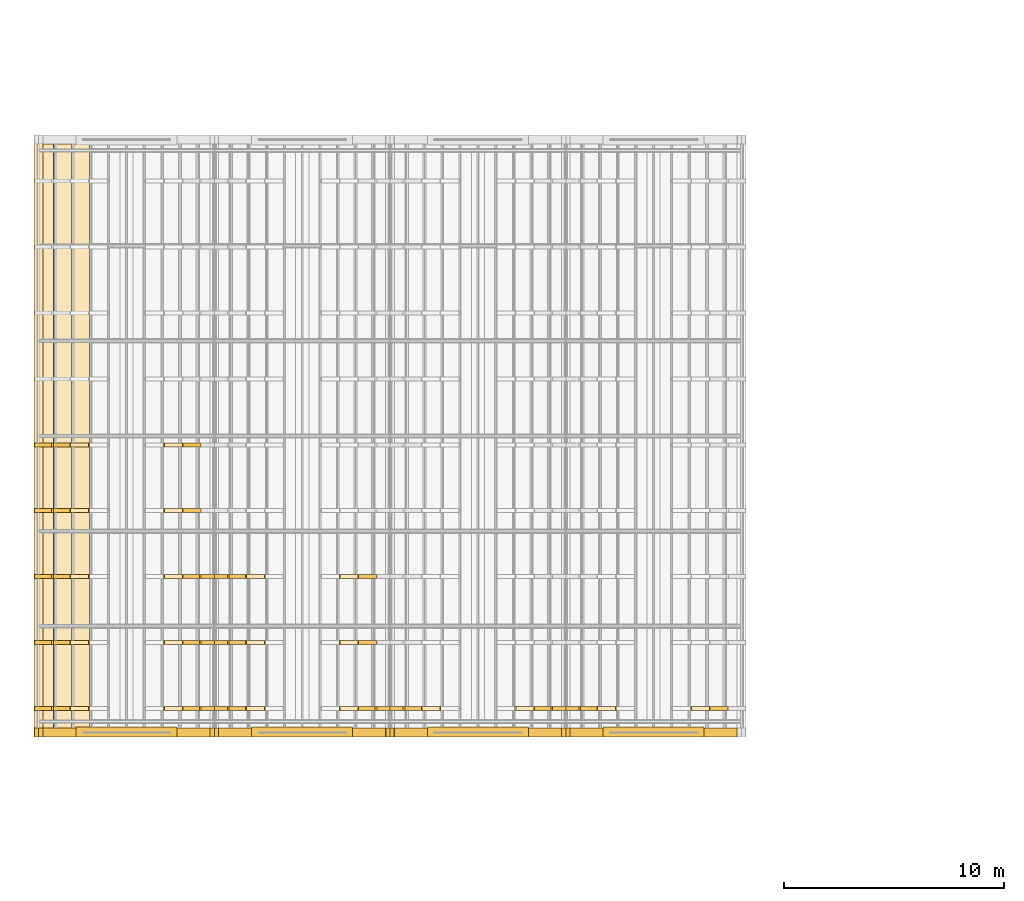
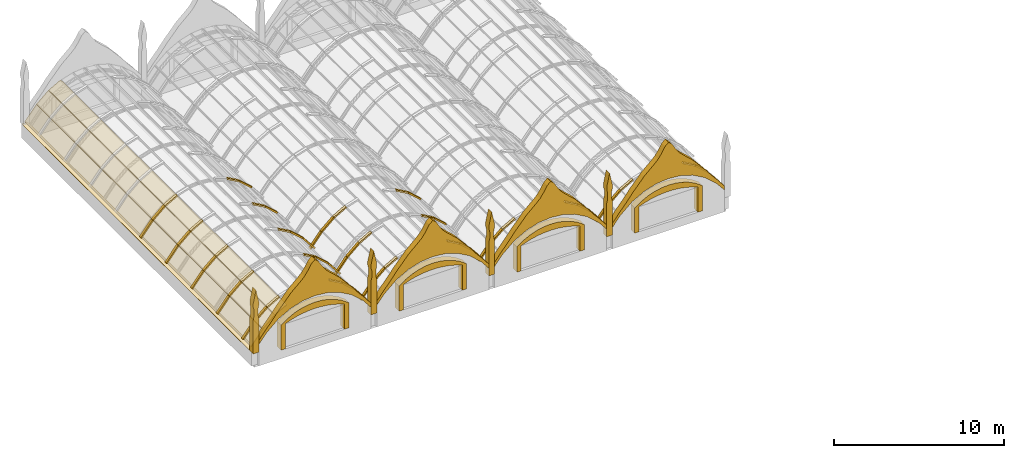
# One storey, part 94 of 111: 71 coverings.
"""IFC4 building model written with IfcOpenShell, lengths in metres."""

from ifc_helpers import new_model, si_unit, direction, frame, origin, origin_2d, place, context, subcontext, project, spatial, polyline, rectangle, outline, extrude, material, layer, layer_set, type_object, element, save


model = new_model("IFC4")

# Units and contexts
model_context = context("Model", 3, precision=1e-05, world=origin(), true_north=direction((0.0, 1.0)))
body_context = subcontext(model_context, "Body", "Model", "MODEL_VIEW")
ifc_project = project(units=[si_unit("LENGTHUNIT", "METRE"), si_unit("AREAUNIT", "SQUARE_METRE"), si_unit("VOLUMEUNIT", "CUBIC_METRE"), si_unit("PLANEANGLEUNIT", "RADIAN"), si_unit("MASSUNIT", "GRAM", prefix="KILO")], contexts=[model_context])

# Site, building, storey
site_placement = place(None, origin())
site = spatial("IfcSite", under=ifc_project, at=site_placement, CompositionType="ELEMENT")
building_placement = place(site_placement, origin())
building = spatial("IfcBuilding", under=site, at=building_placement, Name="Kallimachos Central Library", CompositionType="ELEMENT")
storey_placement = place(building_placement, frame((0.0, 0.0, 14.39990234375)))
storey = spatial("IfcBuildingStorey", under=building, at=storey_placement, Name="L03", CompositionType="ELEMENT", Elevation=14.39990234375)

# Coverings
ifc_material_1 = material(Name="Glazed ceramic tile on stone", Category="masonry")
ifc_layer_1 = layer(ifc_material_1, 0.39990234375)
ifc_layer_set_1 = layer_set([ifc_layer_1], Name="Ceramic gable crest 400")
covering_type_1 = type_object("IfcCoveringType", Name="Ceramic gable crest 400", PredefinedType="CLADDING", material=ifc_layer_set_1)
covering_1_placement = place(storey_placement, frame((6.199951171875, 86.800048828125, 1.55029296875), z_axis=(0.0, -1.0, 0.0), x_axis=(0.62473069813, 0.0, 0.780840287648)))
element("IfcCovering", 1, at=covering_1_placement, inside=storey, type_object=covering_type_1, Name="Gable crest vault 1 south", PredefinedType="CLADDING", context=body_context, shape_type="SweptSolid", body=[
    extrude(outline(polyline([(0.0, 0.0), (0.8351254663601713, 5.551115123125783e-17), (1.9024229652787095, -0.18506445882663147), (2.774587188647379, -0.5381313802409664), (3.4877621016599756, -1.0215282945023734), (4.065700690668276, -1.6137497221781953), (4.516676478999405, -2.3075508971573173), (4.831805854753846, -3.1094140462074478), (4.984895477290252, -4.0377944913876185), (4.931260141401338, -5.11968915163077), (4.748014314642222, -5.93446244006054), (4.982304527903848, -5.74701272619304), (5.065712443065002, -5.376058104902199), (5.1569363864960724, -4.99885007574434), (5.220708913564511, -4.643605235192599), (5.295500148419589, -4.2798572673201205), (5.389964884060137, -3.900056361729594), (5.476613591430769, -3.526508864006087), (5.537526595961434, -3.1735518556008167), (5.605683724254459, -2.8147990057578207), (5.676662262392506, -2.4541014807473034), (5.702689091962326, -2.1290560245289756), (5.7214717977697855, -1.809806409748374), (5.742542121607464, -1.4887265292505956), (5.7832478335378585, -1.1519368680137183), (5.898644288429329, -0.7557016836613561), (6.07412882930681, -0.3110788672541589), (6.095961692487895, 0.010611101816011548), (5.777320738838009, 0.05989652331306905), (5.305028107491728, -0.01375090252689981), (4.893128606417653, -0.039391965983737176), (4.555614804018457, -0.005206236653386487), (4.237736389711978, 0.044689273416063546), (3.922145593435718, 0.09641504920268984), (3.599310673397097, 0.1423449835515902), (3.231829089076446, 0.15224157943659788), (2.86686387031462, 0.1644641201608299), (2.5091427753151545, 0.18248250232278762), (2.125685977475722, 0.17991039516650897), (1.7344131513663739, 0.17108488014321033), (1.363118870328691, 0.17793103316625714), (1.0025382527914515, 0.19366158318174415), (0.6145062188915805, 0.18742894459111234), (0.23429021326162555, 0.1874497138675005), (0.0, 0.0)])), origin(), (0.0, 0.0, -1.0), 0.39990234375),
])
covering_2_placement = place(storey_placement, frame((14.199951171875, 86.800048828125, 1.55029296875), z_axis=(0.0, -1.0, 0.0), x_axis=(0.62473069813, 0.0, 0.780840287648)))
element("IfcCovering", 2, at=covering_2_placement, inside=storey, type_object=covering_type_1, Name="Gable crest vault 2 south", PredefinedType="CLADDING", context=body_context, shape_type="SweptSolid", body=[
    extrude(outline(polyline([(0.0, 0.0), (0.8351254663601713, 5.551115123125783e-17), (1.9024229652787095, -0.18506445882663147), (2.774587188647379, -0.5381313802409664), (3.4877621016599756, -1.0215282945023734), (4.065700690668276, -1.6137497221781953), (4.516676478999405, -2.3075508971573173), (4.831805854753846, -3.1094140462074478), (4.984895477290252, -4.0377944913876185), (4.931260141401338, -5.11968915163077), (4.748014314642222, -5.93446244006054), (4.982304527903848, -5.74701272619304), (5.065712443065002, -5.376058104902199), (5.1569363864960724, -4.99885007574434), (5.220708913564511, -4.643605235192599), (5.295500148419589, -4.2798572673201205), (5.389964884060137, -3.900056361729594), (5.476613591430769, -3.526508864006087), (5.537526595961434, -3.1735518556008167), (5.605683724254459, -2.8147990057578207), (5.676662262392506, -2.4541014807473034), (5.702689091962326, -2.1290560245289756), (5.7214717977697855, -1.809806409748374), (5.742542121607464, -1.4887265292505956), (5.7832478335378585, -1.1519368680137183), (5.898644288429329, -0.7557016836613561), (6.07412882930681, -0.3110788672541589), (6.095961692487895, 0.010611101816011548), (5.777320738838009, 0.05989652331306905), (5.305028107491728, -0.01375090252689981), (4.893128606417653, -0.039391965983737176), (4.555614804018457, -0.005206236653386487), (4.237736389711978, 0.044689273416063546), (3.922145593435718, 0.09641504920268984), (3.599310673397097, 0.1423449835515902), (3.231829089076446, 0.15224157943659788), (2.86686387031462, 0.1644641201608299), (2.5091427753151545, 0.18248250232278762), (2.125685977475722, 0.17991039516650897), (1.7344131513663739, 0.17108488014321033), (1.363118870328691, 0.17793103316625714), (1.0025382527914515, 0.19366158318174415), (0.6145062188915805, 0.18742894459111234), (0.23429021326162555, 0.1874497138675005), (0.0, 0.0)])), origin(), (0.0, 0.0, -1.0), 0.39990234375),
])
covering_3_placement = place(storey_placement, frame((22.199951171875, 86.800048828125, 1.55029296875), z_axis=(0.0, -1.0, 0.0), x_axis=(0.62473069813, 0.0, 0.780840287648)))
element("IfcCovering", 3, at=covering_3_placement, inside=storey, type_object=covering_type_1, Name="Gable crest vault 3 south", PredefinedType="CLADDING", context=body_context, shape_type="SweptSolid", body=[
    extrude(outline(polyline([(0.0, 0.0), (0.8351254663601713, 5.551115123125783e-17), (1.9024229652787095, -0.18506445882663147), (2.774587188647379, -0.5381313802409664), (3.4877621016599756, -1.0215282945023734), (4.065700690668276, -1.6137497221781953), (4.516676478999405, -2.3075508971573173), (4.831805854753846, -3.1094140462074478), (4.984895477290252, -4.0377944913876185), (4.931260141401338, -5.11968915163077), (4.748014314642222, -5.93446244006054), (4.982304527903848, -5.74701272619304), (5.065712443065002, -5.376058104902199), (5.1569363864960724, -4.99885007574434), (5.220708913564511, -4.643605235192599), (5.295500148419589, -4.2798572673201205), (5.389964884060137, -3.900056361729594), (5.476613591430769, -3.526508864006087), (5.537526595961434, -3.1735518556008167), (5.605683724254459, -2.8147990057578207), (5.676662262392506, -2.4541014807473034), (5.702689091962326, -2.1290560245289756), (5.7214717977697855, -1.809806409748374), (5.742542121607464, -1.4887265292505956), (5.7832478335378585, -1.1519368680137183), (5.898644288429329, -0.7557016836613561), (6.07412882930681, -0.3110788672541589), (6.095961692487895, 0.010611101816011548), (5.777320738838009, 0.05989652331306905), (5.305028107491728, -0.01375090252689981), (4.893128606417653, -0.039391965983737176), (4.555614804018457, -0.005206236653386487), (4.237736389711978, 0.044689273416063546), (3.922145593435718, 0.09641504920268984), (3.599310673397097, 0.1423449835515902), (3.231829089076446, 0.15224157943659788), (2.86686387031462, 0.1644641201608299), (2.5091427753151545, 0.18248250232278762), (2.125685977475722, 0.17991039516650897), (1.7344131513663739, 0.17108488014321033), (1.363118870328691, 0.17793103316625714), (1.0025382527914515, 0.19366158318174415), (0.6145062188915805, 0.18742894459111234), (0.23429021326162555, 0.1874497138675005), (0.0, 0.0)])), origin(), (0.0, 0.0, -1.0), 0.39990234375),
])
covering_4_placement = place(storey_placement, frame((30.199951171875, 86.800048828125, 1.55029296875), z_axis=(0.0, -1.0, 0.0), x_axis=(0.62473069813, 0.0, 0.780840287648)))
element("IfcCovering", 4, at=covering_4_placement, inside=storey, type_object=covering_type_1, Name="Gable crest vault 4 south", PredefinedType="CLADDING", context=body_context, shape_type="SweptSolid", body=[
    extrude(outline(polyline([(0.0, 0.0), (0.8351254663601713, 5.551115123125783e-17), (1.9024229652787095, -0.18506445882663147), (2.774587188647379, -0.5381313802409664), (3.4877621016599756, -1.0215282945023734), (4.065700690668276, -1.6137497221781953), (4.516676478999405, -2.3075508971573173), (4.831805854753846, -3.1094140462074478), (4.984895477290252, -4.0377944913876185), (4.931260141401338, -5.11968915163077), (4.748014314642222, -5.93446244006054), (4.982304527903848, -5.74701272619304), (5.065712443065002, -5.376058104902199), (5.1569363864960724, -4.99885007574434), (5.220708913564511, -4.643605235192599), (5.295500148419589, -4.2798572673201205), (5.389964884060137, -3.900056361729594), (5.476613591430769, -3.526508864006087), (5.537526595961434, -3.1735518556008167), (5.605683724254459, -2.8147990057578207), (5.676662262392506, -2.4541014807473034), (5.702689091962326, -2.1290560245289756), (5.7214717977697855, -1.809806409748374), (5.742542121607464, -1.4887265292505956), (5.7832478335378585, -1.1519368680137183), (5.898644288429329, -0.7557016836613561), (6.07412882930681, -0.3110788672541589), (6.095961692487895, 0.010611101816011548), (5.777320738838009, 0.05989652331306905), (5.305028107491728, -0.01375090252689981), (4.893128606417653, -0.039391965983737176), (4.555614804018457, -0.005206236653386487), (4.237736389711978, 0.044689273416063546), (3.922145593435718, 0.09641504920268984), (3.599310673397097, 0.1423449835515902), (3.231829089076446, 0.15224157943659788), (2.86686387031462, 0.1644641201608299), (2.5091427753151545, 0.18248250232278762), (2.125685977475722, 0.17991039516650897), (1.7344131513663739, 0.17108488014321033), (1.363118870328691, 0.17793103316625714), (1.0025382527914515, 0.19366158318174415), (0.6145062188915805, 0.18742894459111234), (0.23429021326162555, 0.1874497138675005), (0.0, 0.0)])), origin(), (0.0, 0.0, -1.0), 0.39990234375),
])
ifc_material_2 = material(Name="Glazed ceramic roll tile")
ifc_layer_2 = layer(ifc_material_2, 0.10009765625)
ifc_layer_set_2 = layer_set([ifc_layer_2], Name="Ceramic roll tile rib 180")
covering_type_2 = type_object("IfcCoveringType", Name="Ceramic roll tile rib 180", PredefinedType="ROOFING", material=ifc_layer_set_2)
for number, where, z_axis, x_axis, name in (
    (5, (5.8056640625, 88.010009765625, 1.313720703125), (-0.780793550648, 0.0, 0.624789109434), (0.624789109434, 0.0, 0.780793550648), "Barrel roof 1 roll tile rib"),
    (6, (5.8056640625, 91.010009765625, 1.313720703125), (-0.780793550648, 0.0, 0.624789109434), (0.624789109434, 0.0, 0.780793550648), "Barrel roof 1 roll tile rib"),
    (7, (5.8056640625, 94.010009765625, 1.313720703125), (-0.780793550648, 0.0, 0.624789109434), (0.624789109434, 0.0, 0.780793550648), "Barrel roof 1 roll tile rib"),
    (8, (5.8056640625, 97.010009765625, 1.313720703125), (-0.780793550648, 0.0, 0.624789109434), (0.624789109434, 0.0, 0.780793550648), "Barrel roof 1 roll tile rib"),
    (9, (5.8056640625, 100.010009765625, 1.313720703125), (-0.780793550648, 0.0, 0.624789109434), (0.624789109434, 0.0, 0.780793550648), "Barrel roof 1 roll tile rib"),
):
    element("IfcCovering", number, at=place(storey_placement, frame(where, z_axis=z_axis, x_axis=x_axis)), inside=storey, type_object=covering_type_2, Name=name, PredefinedType="ROOFING", context=body_context, shape_type="SweptSolid", body=[
        extrude(outline(polyline([(0.0, 0.0), (1.266052197543391, 0.0), (1.266052197543391, 0.179931640625), (0.0, 0.179931640625), (0.0, 0.0)])), origin(), (0.0, 0.0, -1.0), 0.10009765625),
    ])
for number, where, z_axis, x_axis, name in (
    (10, (6.61572265625, 88.010009765625, 2.322021484375), (-0.662753768907, 0.0, 0.74883739343), (0.74883739343, 0.0, 0.662753768907), "Barrel roof 1 roll tile rib"),
    (11, (6.61572265625, 91.010009765625, 2.322021484375), (-0.662753768907, 0.0, 0.74883739343), (0.74883739343, 0.0, 0.662753768907), "Barrel roof 1 roll tile rib"),
    (12, (6.61572265625, 94.010009765625, 2.322021484375), (-0.662753768907, 0.0, 0.74883739343), (0.74883739343, 0.0, 0.662753768907), "Barrel roof 1 roll tile rib"),
    (13, (6.61572265625, 97.010009765625, 2.322021484375), (-0.662753768907, 0.0, 0.74883739343), (0.74883739343, 0.0, 0.662753768907), "Barrel roof 1 roll tile rib"),
    (14, (6.61572265625, 100.010009765625, 2.322021484375), (-0.662753768907, 0.0, 0.74883739343), (0.74883739343, 0.0, 0.662753768907), "Barrel roof 1 roll tile rib"),
):
    element("IfcCovering", number, at=place(storey_placement, frame(where, z_axis=z_axis, x_axis=x_axis)), inside=storey, type_object=covering_type_2, Name=name, PredefinedType="ROOFING", context=body_context, shape_type="SweptSolid", body=[
        extrude(outline(polyline([(0.0, 0.0), (1.0833851300597055, 0.0), (1.0833851300597055, 0.17993164062500003), (0.0, 0.17993164062500003), (0.0, 0.0)])), origin(), (0.0, 0.0, -1.0), 0.10009765625),
    ])
for number, where, z_axis, x_axis, name in (
    (15, (7.45458984375, 88.010009765625, 3.059814453125), (-0.4891643141, 0.0, 0.872191649703), (0.872191649703, 0.0, 0.4891643141), "Barrel roof 1 roll tile rib"),
    (16, (7.45458984375, 91.010009765625, 3.059814453125), (-0.4891643141, 0.0, 0.872191649703), (0.872191649703, 0.0, 0.4891643141), "Barrel roof 1 roll tile rib"),
    (17, (7.45458984375, 94.010009765625, 3.059814453125), (-0.4891643141, 0.0, 0.872191649703), (0.872191649703, 0.0, 0.4891643141), "Barrel roof 1 roll tile rib"),
    (18, (7.45458984375, 97.010009765625, 3.059814453125), (-0.4891643141, 0.0, 0.872191649703), (0.872191649703, 0.0, 0.4891643141), "Barrel roof 1 roll tile rib"),
    (19, (7.45458984375, 100.010009765625, 3.059814453125), (-0.4891643141, 0.0, 0.872191649703), (0.872191649703, 0.0, 0.4891643141), "Barrel roof 1 roll tile rib"),
    (20, (11.724853515625, 88.010009765625, 3.52001953125), (0.4891643141, 0.0, 0.872191649703), (0.872191649703, 0.0, -0.4891643141), "Barrel roof 1 roll tile rib"),
    (21, (11.724853515625, 91.010009765625, 3.52001953125), (0.4891643141, 0.0, 0.872191649703), (0.872191649703, 0.0, -0.4891643141), "Barrel roof 1 roll tile rib"),
    (22, (11.724853515625, 94.010009765625, 3.52001953125), (0.4891643141, 0.0, 0.872191649703), (0.872191649703, 0.0, -0.4891643141), "Barrel roof 1 roll tile rib"),
    (23, (11.724853515625, 97.010009765625, 3.52001953125), (0.4891643141, 0.0, 0.872191649703), (0.872191649703, 0.0, -0.4891643141), "Barrel roof 1 roll tile rib"),
    (24, (11.724853515625, 100.010009765625, 3.52001953125), (0.4891643141, 0.0, 0.872191649703), (0.872191649703, 0.0, -0.4891643141), "Barrel roof 1 roll tile rib"),
):
    element("IfcCovering", number, at=place(storey_placement, frame(where, z_axis=z_axis, x_axis=x_axis)), inside=storey, type_object=covering_type_2, Name=name, PredefinedType="ROOFING", context=body_context, shape_type="SweptSolid", body=[
        extrude(outline(polyline([(0.0, 0.0), (0.9407985514475578, 0.0), (0.9407985514475578, 0.179931640625), (0.0, 0.179931640625), (0.0, 0.0)])), origin(), (0.0, 0.0, -1.0), 0.10009765625),
    ])
for number, where, z_axis, x_axis, name in (
    (25, (12.572998046875, 88.010009765625, 3.0400390625), (0.662753768907, 0.0, 0.74883739343), (0.74883739343, 0.0, -0.662753768907), "Barrel roof 1 roll tile rib"),
    (26, (12.572998046875, 91.010009765625, 3.0400390625), (0.662753768907, 0.0, 0.74883739343), (0.74883739343, 0.0, -0.662753768907), "Barrel roof 1 roll tile rib"),
    (27, (12.572998046875, 94.010009765625, 3.0400390625), (0.662753768907, 0.0, 0.74883739343), (0.74883739343, 0.0, -0.662753768907), "Barrel roof 1 roll tile rib"),
    (28, (12.572998046875, 97.010009765625, 3.0400390625), (0.662753768907, 0.0, 0.74883739343), (0.74883739343, 0.0, -0.662753768907), "Barrel roof 1 roll tile rib"),
    (29, (12.572998046875, 100.010009765625, 3.0400390625), (0.662753768907, 0.0, 0.74883739343), (0.74883739343, 0.0, -0.662753768907), "Barrel roof 1 roll tile rib"),
):
    element("IfcCovering", number, at=place(storey_placement, frame(where, z_axis=z_axis, x_axis=x_axis)), inside=storey, type_object=covering_type_2, Name=name, PredefinedType="ROOFING", context=body_context, shape_type="SweptSolid", body=[
        extrude(outline(polyline([(0.0, 0.0), (1.0833851300597055, 0.0), (1.0833851300597055, 0.17993164062500003), (0.0, 0.17993164062500003), (0.0, 0.0)])), origin(), (0.0, 0.0, -1.0), 0.10009765625),
    ])
for number, where, z_axis, x_axis, name in (
    (30, (13.4033203125, 88.010009765625, 2.30224609375), (0.780793550648, 0.0, 0.624789109434), (0.624789109434, 0.0, -0.780793550648), "Barrel roof 1 roll tile rib"),
    (31, (13.4033203125, 91.010009765625, 2.30224609375), (0.780793550648, 0.0, 0.624789109434), (0.624789109434, 0.0, -0.780793550648), "Barrel roof 1 roll tile rib"),
    (32, (13.4033203125, 94.010009765625, 2.30224609375), (0.780793550648, 0.0, 0.624789109434), (0.624789109434, 0.0, -0.780793550648), "Barrel roof 1 roll tile rib"),
    (33, (13.8056640625, 88.010009765625, 1.313720703125), (-0.780793550648, 0.0, 0.624789109434), (0.624789109434, 0.0, 0.780793550648), "Barrel roof 2 roll tile rib"),
    (34, (13.8056640625, 91.010009765625, 1.313720703125), (-0.780793550648, 0.0, 0.624789109434), (0.624789109434, 0.0, 0.780793550648), "Barrel roof 2 roll tile rib"),
    (35, (13.8056640625, 94.010009765625, 1.313720703125), (-0.780793550648, 0.0, 0.624789109434), (0.624789109434, 0.0, 0.780793550648), "Barrel roof 2 roll tile rib"),
):
    element("IfcCovering", number, at=place(storey_placement, frame(where, z_axis=z_axis, x_axis=x_axis)), inside=storey, type_object=covering_type_2, Name=name, PredefinedType="ROOFING", context=body_context, shape_type="SweptSolid", body=[
        extrude(outline(polyline([(0.0, 0.0), (1.266052197543391, 0.0), (1.266052197543391, 0.179931640625), (0.0, 0.179931640625), (0.0, 0.0)])), origin(), (0.0, 0.0, -1.0), 0.10009765625),
    ])
for number, where, z_axis, x_axis, name in (
    (36, (14.61572265625, 88.010009765625, 2.322021484375), (-0.662753768907, 0.0, 0.74883739343), (0.74883739343, 0.0, 0.662753768907), "Barrel roof 2 roll tile rib"),
    (37, (14.61572265625, 91.010009765625, 2.322021484375), (-0.662753768907, 0.0, 0.74883739343), (0.74883739343, 0.0, 0.662753768907), "Barrel roof 2 roll tile rib"),
    (38, (14.61572265625, 94.010009765625, 2.322021484375), (-0.662753768907, 0.0, 0.74883739343), (0.74883739343, 0.0, 0.662753768907), "Barrel roof 2 roll tile rib"),
):
    element("IfcCovering", number, at=place(storey_placement, frame(where, z_axis=z_axis, x_axis=x_axis)), inside=storey, type_object=covering_type_2, Name=name, PredefinedType="ROOFING", context=body_context, shape_type="SweptSolid", body=[
        extrude(outline(polyline([(0.0, 0.0), (1.0833851300597055, 0.0), (1.0833851300597055, 0.17993164062500003), (0.0, 0.17993164062500003), (0.0, 0.0)])), origin(), (0.0, 0.0, -1.0), 0.10009765625),
    ])
for number, where, z_axis, x_axis, name in (
    (39, (15.45458984375, 88.010009765625, 3.059814453125), (-0.4891643141, 0.0, 0.872191649703), (0.872191649703, 0.0, 0.4891643141), "Barrel roof 2 roll tile rib"),
    (40, (15.45458984375, 91.010009765625, 3.059814453125), (-0.4891643141, 0.0, 0.872191649703), (0.872191649703, 0.0, 0.4891643141), "Barrel roof 2 roll tile rib"),
    (41, (15.45458984375, 94.010009765625, 3.059814453125), (-0.4891643141, 0.0, 0.872191649703), (0.872191649703, 0.0, 0.4891643141), "Barrel roof 2 roll tile rib"),
    (42, (19.724853515625, 88.010009765625, 3.52001953125), (0.4891643141, 0.0, 0.872191649703), (0.872191649703, 0.0, -0.4891643141), "Barrel roof 2 roll tile rib"),
    (43, (19.724853515625, 91.010009765625, 3.52001953125), (0.4891643141, 0.0, 0.872191649703), (0.872191649703, 0.0, -0.4891643141), "Barrel roof 2 roll tile rib"),
    (44, (19.724853515625, 94.010009765625, 3.52001953125), (0.4891643141, 0.0, 0.872191649703), (0.872191649703, 0.0, -0.4891643141), "Barrel roof 2 roll tile rib"),
):
    element("IfcCovering", number, at=place(storey_placement, frame(where, z_axis=z_axis, x_axis=x_axis)), inside=storey, type_object=covering_type_2, Name=name, PredefinedType="ROOFING", context=body_context, shape_type="SweptSolid", body=[
        extrude(outline(polyline([(0.0, 0.0), (0.9407985514475578, 0.0), (0.9407985514475578, 0.179931640625), (0.0, 0.179931640625), (0.0, 0.0)])), origin(), (0.0, 0.0, -1.0), 0.10009765625),
    ])
for number, where, z_axis, x_axis, name in (
    (45, (20.572998046875, 88.010009765625, 3.0400390625), (0.662753768907, 0.0, 0.74883739343), (0.74883739343, 0.0, -0.662753768907), "Barrel roof 2 roll tile rib"),
    (46, (20.572998046875, 91.010009765625, 3.0400390625), (0.662753768907, 0.0, 0.74883739343), (0.74883739343, 0.0, -0.662753768907), "Barrel roof 2 roll tile rib"),
    (47, (20.572998046875, 94.010009765625, 3.0400390625), (0.662753768907, 0.0, 0.74883739343), (0.74883739343, 0.0, -0.662753768907), "Barrel roof 2 roll tile rib"),
):
    element("IfcCovering", number, at=place(storey_placement, frame(where, z_axis=z_axis, x_axis=x_axis)), inside=storey, type_object=covering_type_2, Name=name, PredefinedType="ROOFING", context=body_context, shape_type="SweptSolid", body=[
        extrude(outline(polyline([(0.0, 0.0), (1.0833851300597055, 0.0), (1.0833851300597055, 0.17993164062500003), (0.0, 0.17993164062500003), (0.0, 0.0)])), origin(), (0.0, 0.0, -1.0), 0.10009765625),
    ])
for number, where, z_axis, x_axis, name in (
    (48, (21.4033203125, 88.010009765625, 2.30224609375), (0.780793550648, 0.0, 0.624789109434), (0.624789109434, 0.0, -0.780793550648), "Barrel roof 2 roll tile rib"),
    (49, (21.8056640625, 88.010009765625, 1.313720703125), (-0.780793550648, 0.0, 0.624789109434), (0.624789109434, 0.0, 0.780793550648), "Barrel roof 3 roll tile rib"),
):
    element("IfcCovering", number, at=place(storey_placement, frame(where, z_axis=z_axis, x_axis=x_axis)), inside=storey, type_object=covering_type_2, Name=name, PredefinedType="ROOFING", context=body_context, shape_type="SweptSolid", body=[
        extrude(outline(polyline([(0.0, 0.0), (1.266052197543391, 0.0), (1.266052197543391, 0.179931640625), (0.0, 0.179931640625), (0.0, 0.0)])), origin(), (0.0, 0.0, -1.0), 0.10009765625),
    ])
covering_5_placement = place(storey_placement, frame((22.61572265625, 88.010009765625, 2.322021484375), z_axis=(-0.662753768907, 0.0, 0.74883739343), x_axis=(0.74883739343, 0.0, 0.662753768907)))
element("IfcCovering", 50, at=covering_5_placement, inside=storey, type_object=covering_type_2, Name="Barrel roof 3 roll tile rib", PredefinedType="ROOFING", context=body_context, shape_type="SweptSolid", body=[
    extrude(outline(polyline([(0.0, 0.0), (1.0833851300597055, 0.0), (1.0833851300597055, 0.17993164062500003), (0.0, 0.17993164062500003), (0.0, 0.0)])), origin(), (0.0, 0.0, -1.0), 0.10009765625),
])
for number, where, z_axis, x_axis, name in (
    (51, (23.45458984375, 88.010009765625, 3.059814453125), (-0.4891643141, 0.0, 0.872191649703), (0.872191649703, 0.0, 0.4891643141), "Barrel roof 3 roll tile rib"),
    (52, (27.724853515625, 88.010009765625, 3.52001953125), (0.4891643141, 0.0, 0.872191649703), (0.872191649703, 0.0, -0.4891643141), "Barrel roof 3 roll tile rib"),
):
    element("IfcCovering", number, at=place(storey_placement, frame(where, z_axis=z_axis, x_axis=x_axis)), inside=storey, type_object=covering_type_2, Name=name, PredefinedType="ROOFING", context=body_context, shape_type="SweptSolid", body=[
        extrude(outline(polyline([(0.0, 0.0), (0.9407985514475578, 0.0), (0.9407985514475578, 0.179931640625), (0.0, 0.179931640625), (0.0, 0.0)])), origin(), (0.0, 0.0, -1.0), 0.10009765625),
    ])
covering_6_placement = place(storey_placement, frame((28.572998046875, 88.010009765625, 3.0400390625), z_axis=(0.662753768907, 0.0, 0.74883739343), x_axis=(0.74883739343, 0.0, -0.662753768907)))
element("IfcCovering", 53, at=covering_6_placement, inside=storey, type_object=covering_type_2, Name="Barrel roof 3 roll tile rib", PredefinedType="ROOFING", context=body_context, shape_type="SweptSolid", body=[
    extrude(outline(polyline([(0.0, 0.0), (1.0833851300597055, 0.0), (1.0833851300597055, 0.17993164062500003), (0.0, 0.17993164062500003), (0.0, 0.0)])), origin(), (0.0, 0.0, -1.0), 0.10009765625),
])
for number, where, z_axis, x_axis, name in (
    (54, (29.4033203125, 88.010009765625, 2.30224609375), (0.780793550648, 0.0, 0.624789109434), (0.624789109434, 0.0, -0.780793550648), "Barrel roof 3 roll tile rib"),
    (55, (29.8056640625, 88.010009765625, 1.313720703125), (-0.780793550648, 0.0, 0.624789109434), (0.624789109434, 0.0, 0.780793550648), "Barrel roof 4 roll tile rib"),
):
    element("IfcCovering", number, at=place(storey_placement, frame(where, z_axis=z_axis, x_axis=x_axis)), inside=storey, type_object=covering_type_2, Name=name, PredefinedType="ROOFING", context=body_context, shape_type="SweptSolid", body=[
        extrude(outline(polyline([(0.0, 0.0), (1.266052197543391, 0.0), (1.266052197543391, 0.179931640625), (0.0, 0.179931640625), (0.0, 0.0)])), origin(), (0.0, 0.0, -1.0), 0.10009765625),
    ])
covering_7_placement = place(storey_placement, frame((30.61572265625, 88.010009765625, 2.322021484375), z_axis=(-0.662753768907, 0.0, 0.74883739343), x_axis=(0.74883739343, 0.0, 0.662753768907)))
element("IfcCovering", 56, at=covering_7_placement, inside=storey, type_object=covering_type_2, Name="Barrel roof 4 roll tile rib", PredefinedType="ROOFING", context=body_context, shape_type="SweptSolid", body=[
    extrude(outline(polyline([(0.0, 0.0), (1.0833851300597055, 0.0), (1.0833851300597055, 0.17993164062500003), (0.0, 0.17993164062500003), (0.0, 0.0)])), origin(), (0.0, 0.0, -1.0), 0.10009765625),
])
for number, where, z_axis, x_axis, name in (
    (57, (31.45458984375, 88.010009765625, 3.059814453125), (-0.4891643141, 0.0, 0.872191649703), (0.872191649703, 0.0, 0.4891643141), "Barrel roof 4 roll tile rib"),
    (58, (35.724853515625, 88.010009765625, 3.52001953125), (0.4891643141, 0.0, 0.872191649703), (0.872191649703, 0.0, -0.4891643141), "Barrel roof 4 roll tile rib"),
):
    element("IfcCovering", number, at=place(storey_placement, frame(where, z_axis=z_axis, x_axis=x_axis)), inside=storey, type_object=covering_type_2, Name=name, PredefinedType="ROOFING", context=body_context, shape_type="SweptSolid", body=[
        extrude(outline(polyline([(0.0, 0.0), (0.9407985514475578, 0.0), (0.9407985514475578, 0.179931640625), (0.0, 0.179931640625), (0.0, 0.0)])), origin(), (0.0, 0.0, -1.0), 0.10009765625),
    ])
covering_8_placement = place(storey_placement, frame((36.572998046875, 88.010009765625, 3.0400390625), z_axis=(0.662753768907, 0.0, 0.74883739343), x_axis=(0.74883739343, 0.0, -0.662753768907)))
element("IfcCovering", 59, at=covering_8_placement, inside=storey, type_object=covering_type_2, Name="Barrel roof 4 roll tile rib", PredefinedType="ROOFING", context=body_context, shape_type="SweptSolid", body=[
    extrude(outline(polyline([(0.0, 0.0), (1.0833851300597055, 0.0), (1.0833851300597055, 0.17993164062500003), (0.0, 0.17993164062500003), (0.0, 0.0)])), origin(), (0.0, 0.0, -1.0), 0.10009765625),
])
ifc_material_3 = material(Name="Pentelic marble arch ring", Category="masonry")
ifc_layer_3 = layer(ifc_material_3, 0.449951171875)
ifc_layer_set_3 = layer_set([ifc_layer_3], Name="Stone gable window ring 450")
covering_type_3 = type_object("IfcCoveringType", Name="Stone gable window ring 450", PredefinedType="MOLDING", material=ifc_layer_set_3)
for number, where, z_axis, x_axis, name in (
    (60, (8.0, 86.800048828125, 0.60009765625), (0.0, -1.0, 0.0), (0.0, 0.0, 1.0), "Vault gable window ring"),
    (61, (16.0, 86.800048828125, 0.60009765625), (0.0, -1.0, 0.0), (0.0, 0.0, 1.0), "Vault gable window ring"),
    (62, (24.0, 86.800048828125, 0.60009765625), (0.0, -1.0, 0.0), (0.0, 0.0, 1.0), "Vault gable window ring"),
    (63, (32.0, 86.800048828125, 0.60009765625), (0.0, -1.0, 0.0), (0.0, 0.0, 1.0), "Vault gable window ring"),
):
    element("IfcCovering", number, at=place(storey_placement, frame(where, z_axis=z_axis, x_axis=x_axis)), inside=storey, type_object=covering_type_3, Name=name, PredefinedType="MOLDING", context=body_context, shape_type="SweptSolid", body=[
        extrude(outline(polyline([(0.0, 0.0), (1.800048828125, 0.0), (1.94775390625, -0.39990234375), (2.0595703125, -0.800048828125), (2.13818359375, -1.199951171875), (2.1845703125, -1.60009765625), (2.199951171875, -2.0), (2.1845703125, -2.39990234375), (2.13818359375, -2.800048828125), (2.0595703125, -3.199951171875), (1.94775390625, -3.60009765625), (1.800048828125, -4.0), (0.0, -4.0), (0.0, -4.300048828125), (1.800048828125, -4.300048828125), (2.1337890625, -3.840087890625), (2.36962890625, -3.3798828125), (2.5283203125, -2.919921875), (2.6201171875, -2.4599609375), (2.64990234375, -2.0), (2.6201171875, -1.5400390625), (2.5283203125, -1.080078125), (2.36962890625, -0.6201171875), (2.1337890625, -0.159912109375), (1.800048828125, 0.300048828125), (0.0, 0.300048828125), (0.0, 0.0)])), origin(), (0.0, 0.0, -1.0), 0.449951171875),
    ])
ifc_material_4 = material(Name="Pentelic marble pinnacle", Category="masonry")
ifc_layer_4 = layer(ifc_material_4, 0.39990234375)
ifc_layer_set_4 = layer_set([ifc_layer_4], Name="Stone pinnacle 400")
covering_type_4 = type_object("IfcCoveringType", Name="Stone pinnacle 400", PredefinedType="MOLDING", material=ifc_layer_set_4)
for number, where, z_axis, x_axis, name in (
    (64, (6.0, 86.800048828125, 1.0), (0.0, -1.0, 0.0), (1.0, 0.0, 0.0), "Pinnacle line 1 south"),
    (65, (14.0, 86.800048828125, 1.0), (0.0, -1.0, 0.0), (1.0, 0.0, 0.0), "Pinnacle line 2 south"),
    (66, (22.0, 86.800048828125, 1.0), (0.0, -1.0, 0.0), (1.0, 0.0, 0.0), "Pinnacle line 3 south"),
    (67, (30.0, 86.800048828125, 1.0), (0.0, -1.0, 0.0), (1.0, 0.0, 0.0), "Pinnacle line 4 south"),
):
    element("IfcCovering", number, at=place(storey_placement, frame(where, z_axis=z_axis, x_axis=x_axis)), inside=storey, type_object=covering_type_4, Name=name, PredefinedType="MOLDING", context=body_context, shape_type="SweptSolid", body=[
        extrude(outline(polyline([(0.0, 0.0), (0.199951171875, 0.0), (0.199951171875, 2.400146484375), (0.1298828125, 2.7001953125), (0.1298828125, 3.10009765625), (0.18994140625, 3.35009765625), (0.18994140625, 3.60009765625), (0.0, 4.5), (-0.18994140625, 3.60009765625), (-0.18994140625, 3.35009765625), (-0.1298828125, 3.10009765625), (-0.1298828125, 2.7001953125), (-0.199951171875, 2.400146484375), (-0.199951171875, 0.0), (0.0, 0.0)])), origin(), (0.0, 0.0, -1.0), 0.39990234375),
    ])
ifc_material_5 = material(Name="Lead-coated copper sheet")
ifc_layer_5 = layer(ifc_material_5, 0.02001953125)
ifc_layer_set_5 = layer_set([ifc_layer_5], Name="Valley gutter lining")
covering_type_5 = type_object("IfcCoveringType", Name="Valley gutter lining", PredefinedType="MEMBRANE", material=ifc_layer_set_5)
covering_9_placement = place(storey_placement, frame((6.0, 100.5, 1.0), z_axis=(0.0, 0.0, 1.0), x_axis=(1.0, 0.0, 0.0)))
element("IfcCovering", 68, at=covering_9_placement, inside=storey, type_object=covering_type_5, Name="Gutter lining line 1", PredefinedType="MEMBRANE", context=body_context, shape_type="SweptSolid", body=[
    extrude(rectangle(XDim=0.39990234375, YDim=27.0, at=origin_2d()), origin(), (0.0, 0.0, 1.0), 0.02001953125),
])
ifc_material_6 = material(Name="Vitreous ceramic tile")
ifc_layer_6 = layer(ifc_material_6, 0.06005859375)
ifc_layer_set_6 = layer_set([ifc_layer_6], Name="Vitreous ceramic tile roofing")
covering_type_6 = type_object("IfcCoveringType", Name="Vitreous ceramic tile roofing", PredefinedType="ROOFING", material=ifc_layer_set_6)
covering_10_placement = place(storey_placement, frame((5.8837890625, 87.199951171875, 1.251220703125), z_axis=(-0.780793550648, 0.0, 0.624789109434), x_axis=(0.624789109434, 0.0, 0.780793550648)))
element("IfcCovering", 69, at=covering_10_placement, inside=storey, type_object=covering_type_6, Name="Barrel roof 1 tile panel 1", PredefinedType="ROOFING", context=body_context, shape_type="SweptSolid", body=[
    extrude(outline(polyline([(0.0, 0.0), (1.266052197543391, 0.0), (1.266052197543391, 26.60009765625), (0.0, 26.60009765625), (0.0, 0.0)])), origin(), (0.0, 0.0, -1.0), 0.06005859375),
])
covering_11_placement = place(storey_placement, frame((6.681884765625, 87.199951171875, 2.247314453125), z_axis=(-0.662627374015, 0.0, 0.748949239405), x_axis=(0.748949239405, 0.0, 0.662627374015)))
element("IfcCovering", 70, at=covering_11_placement, inside=storey, type_object=covering_type_6, Name="Barrel roof 1 tile panel 2", PredefinedType="ROOFING", context=body_context, shape_type="SweptSolid", body=[
    extrude(outline(polyline([(0.0, 0.0), (1.0832233403682552, 0.0), (1.0832233403682552, 26.60009765625), (0.0, 26.60009765625), (0.0, 0.0)])), origin(), (0.0, 0.0, -1.0), 0.06005859375),
])
covering_12_placement = place(storey_placement, frame((7.503662109375, 87.199951171875, 2.972412109375), z_axis=(-0.489361685655, 0.0, 0.872080925496), x_axis=(0.872080925496, 0.0, 0.489361685655)))
element("IfcCovering", 71, at=covering_12_placement, inside=storey, type_object=covering_type_6, Name="Barrel roof 1 tile panel 3", PredefinedType="ROOFING", context=body_context, shape_type="SweptSolid", body=[
    extrude(outline(polyline([(0.0, 0.0), (0.9409180004236665, 0.0), (0.9409180004236665, 26.60009765625), (0.0, 26.60009765625), (0.0, 0.0)])), origin(), (0.0, 0.0, -1.0), 0.06005859375),
])

save(model, "model.ifc")
